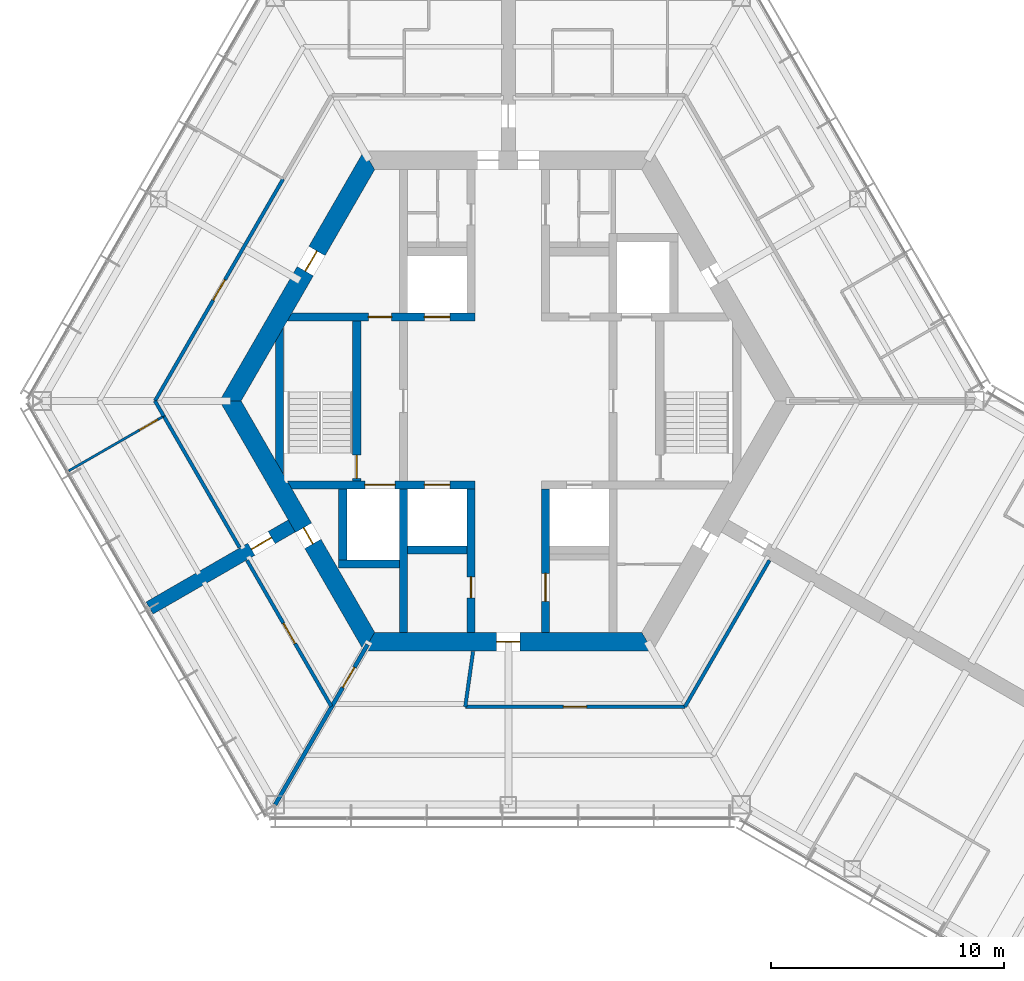
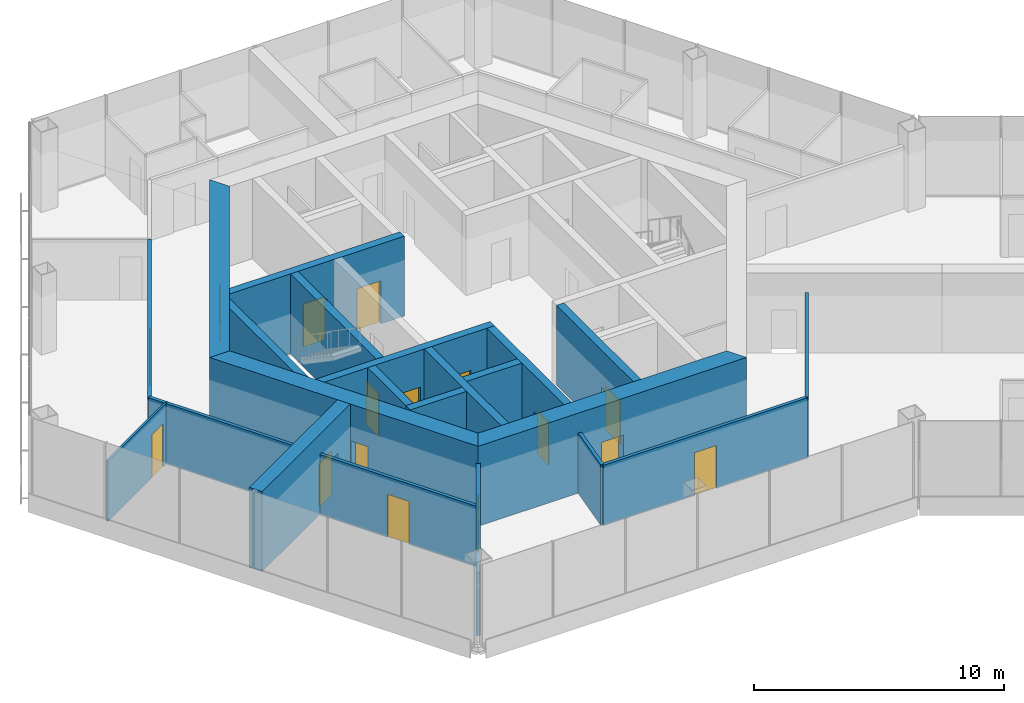
# One storey, part 10 of 15: 23 walls, 16 doors, 16 openings.
"""IFC4 building model written with IfcOpenShell, lengths in metres."""

from ifc_helpers import new_model, si_unit, direction, frame, frame_2d, origin, place, context, subcontext, project, spatial, polyline, rectangle, outline, extrude, material, layer, layer_set, type_object, element, fill, save


model = new_model("IFC4")

# Units and contexts
model_context = context("Model", 3, precision=1e-05, world=origin(), true_north=direction((0.0, 1.0)))
body_context = subcontext(model_context, "Body", "Model", "MODEL_VIEW")
ifc_project = project(units=[si_unit("LENGTHUNIT", "METRE"), si_unit("AREAUNIT", "SQUARE_METRE"), si_unit("VOLUMEUNIT", "CUBIC_METRE"), si_unit("PLANEANGLEUNIT", "RADIAN"), si_unit("MASSUNIT", "GRAM", prefix="KILO")], contexts=[model_context])

# Site, building, storey
site_placement = place(None, origin())
site = spatial("IfcSite", under=ifc_project, at=site_placement, CompositionType="ELEMENT")
building_placement = place(site_placement, origin())
building = spatial("IfcBuilding", under=site, at=building_placement, Name="Kasaneha Research Tower", CompositionType="ELEMENT")
storey_placement = place(building_placement, frame((0.0, 0.0, 220.60009765625)))
storey = spatial("IfcBuildingStorey", under=building, at=storey_placement, Name="L55", CompositionType="ELEMENT", Elevation=220.60009765625)

# Wall, openings, doors
ifc_material_1 = material(Name="Concrete Fc60", Category="concrete")
ifc_layer_1 = layer(ifc_material_1, 0.35009765625)
ifc_layer_set_1 = layer_set([ifc_layer_1], Name="Core internal wall 350 Fc60")
wall_type_1 = type_object("IfcWallType", Name="Core internal wall 350 Fc60", PredefinedType="SHEAR", material=ifc_layer_set_1)
wall_1_placement = place(storey_placement, frame((-9.3818359375, 3.60009765625, 0.0), z_axis=(0.0, 0.0, 1.0), x_axis=(1.0, 0.0, 0.0)))
wall_1 = element("IfcWall", 1, at=wall_1_placement, inside=storey, type_object=wall_type_1, Name="Core wall W1W L55", PredefinedType="SHEAR", context=body_context, shape_type="SweptSolid", body=[
    extrude(outline(polyline([(-0.10107421875, -0.175048828125), (3.3818359375, -0.175048828125), (4.3818359375, -0.175048828125), (5.781982421875, -0.175048828125), (6.882080078125, -0.175048828125), (7.956787109375, -0.175048828125), (7.956787109375, 0.175048828125), (6.882080078125, 0.175048828125), (5.781982421875, 0.175048828125), (4.3818359375, 0.175048828125), (3.3818359375, 0.175048828125), (0.10107421875, 0.175048828125), (-0.10107421875, -0.175048828125)])), origin(), (0.0, 0.0, 1.0), 3.89990234375),
])
opening_1_placement = place(wall_1_placement, frame((3.3818359375, 0.0, 0.0)))
opening_1 = element("IfcOpeningElement", 2, at=opening_1_placement, cuts=wall_1, Name="Opening L55-D12", PredefinedType="OPENING", context=body_context, shape_type="SweptSolid", body=[
    extrude(rectangle(XDim=1.0, YDim=2.10009765625, at=frame_2d((0.5, 1.050048828125))), frame((0.0, 0.18505859375, 0.0), z_axis=(0.0, -1.0, 0.0), x_axis=(1.0, 0.0, 0.0)), (0.0, 0.0, 1.0), 0.3701171875),
])
opening_2_placement = place(wall_1_placement, frame((5.781982421875, 0.0, 0.0)))
opening_2 = element("IfcOpeningElement", 3, at=opening_2_placement, cuts=wall_1, Name="Opening LD-LH2-L55", PredefinedType="OPENING", context=body_context, shape_type="SweptSolid", body=[
    extrude(rectangle(XDim=1.10009765625, YDim=2.10009765625, at=frame_2d((0.550048828125, 1.050048828125))), frame((0.0, 0.18505859375, 0.0), z_axis=(0.0, -1.0, 0.0), x_axis=(1.0, 0.0, 0.0)), (0.0, 0.0, 1.0), 0.3701171875),
])
ifc_material_2 = material(Name="Steel", Category="steel")
door_type_1 = type_object("IfcDoorType", Name="Lift landing door 1100x2100", OperationType="DOUBLE_DOOR_SLIDING", PredefinedType="DOOR", material=ifc_material_2)
door_1_placement = place(opening_2_placement, origin())
door_1 = element("IfcDoor", 4, at=door_1_placement, inside=storey, type_object=door_type_1, Name="Landing door LH2 LD-LH2-L55", OperationType="DOUBLE_DOOR_SLIDING", OverallHeight=2.10009765625, OverallWidth=1.10009765625, PredefinedType="DOOR", context=body_context, shape_type="SweptSolid", body=[
    extrude(rectangle(XDim=1.10009765625, YDim=2.10009765625, at=frame_2d((0.550048828125, 1.050048828125))), frame((0.0, 0.02490234375, 0.0), z_axis=(0.0, -1.0, 0.0), x_axis=(1.0, 0.0, 0.0)), (0.0, 0.0, 1.0), 0.050048828125),
])
fill(opening_2, door_1)
ifc_material_3 = material(Name="Steel", Category="steel")
door_type_2 = type_object("IfcDoorType", Name="Specified fire door FD60 1000x2100", OperationType="NOTDEFINED", PredefinedType="DOOR", material=ifc_material_3)
door_2_placement = place(opening_1_placement, origin())
door_2 = element("IfcDoor", 5, at=door_2_placement, inside=storey, type_object=door_type_2, Name="Vestibule to lobby door L55-D12", OperationType="SINGLE_SWING_LEFT", OverallHeight=2.10009765625, OverallWidth=1.0, PredefinedType="DOOR", context=body_context, shape_type="SweptSolid", body=[
    extrude(rectangle(XDim=1.0, YDim=2.10009765625, at=frame_2d((0.5, 1.050048828125))), frame((0.0, 0.02490234375, 0.0), z_axis=(0.0, -1.0, 0.0), x_axis=(1.0, 0.0, 0.0)), (0.0, 0.0, 1.0), 0.050048828125),
])
fill(opening_1, door_2)

wall_2_placement = place(storey_placement, frame((-9.3818359375, -3.60009765625, 0.0), z_axis=(0.0, 0.0, 1.0), x_axis=(1.0, 0.0, 0.0)))
wall_2 = element("IfcWall", 6, at=wall_2_placement, inside=storey, type_object=wall_type_1, Name="Core wall W2W L55", PredefinedType="SHEAR", context=body_context, shape_type="SweptSolid", body=[
    extrude(outline(polyline([(0.10107421875, -0.175048828125), (3.23193359375, -0.175048828125), (4.531982421875, -0.175048828125), (5.781982421875, -0.175048828125), (6.882080078125, -0.175048828125), (7.956787109375, -0.175048828125), (7.956787109375, 0.175048828125), (6.882080078125, 0.175048828125), (5.781982421875, 0.175048828125), (4.531982421875, 0.175048828125), (3.23193359375, 0.175048828125), (-0.10107421875, 0.175048828125), (0.10107421875, -0.175048828125)])), origin(), (0.0, 0.0, 1.0), 3.89990234375),
])
opening_3_placement = place(wall_2_placement, frame((5.781982421875, 0.0, 0.0)))
opening_3 = element("IfcOpeningElement", 7, at=opening_3_placement, cuts=wall_2, Name="Opening LD-LH1-L55", PredefinedType="OPENING", context=body_context, shape_type="SweptSolid", body=[
    extrude(rectangle(XDim=1.10009765625, YDim=2.10009765625, at=frame_2d((0.550048828125, 1.050048828125))), frame((0.0, 0.18505859375, 0.0), z_axis=(0.0, -1.0, 0.0), x_axis=(1.0, 0.0, 0.0)), (0.0, 0.0, 1.0), 0.3701171875),
])
opening_4_placement = place(wall_2_placement, frame((3.23193359375, 0.0, 0.0)))
opening_4 = element("IfcOpeningElement", 8, at=opening_4_placement, cuts=wall_2, Name="Opening LD-FL2-L55", PredefinedType="OPENING", context=body_context, shape_type="SweptSolid", body=[
    extrude(rectangle(XDim=1.300048828125, YDim=2.10009765625, at=frame_2d((0.64990234375, 1.050048828125))), frame((0.0, 0.18505859375, 0.0), z_axis=(0.0, -1.0, 0.0), x_axis=(1.0, 0.0, 0.0)), (0.0, 0.0, 1.0), 0.3701171875),
])
door_3_placement = place(opening_3_placement, origin())
door_3 = element("IfcDoor", 9, at=door_3_placement, inside=storey, type_object=door_type_1, Name="Landing door LH1 LD-LH1-L55", OperationType="DOUBLE_DOOR_SLIDING", OverallHeight=2.10009765625, OverallWidth=1.10009765625, PredefinedType="DOOR", context=body_context, shape_type="SweptSolid", body=[
    extrude(rectangle(XDim=1.10009765625, YDim=2.10009765625, at=frame_2d((0.550048828125, 1.050048828125))), frame((0.0, 0.02490234375, 0.0), z_axis=(0.0, -1.0, 0.0), x_axis=(1.0, 0.0, 0.0)), (0.0, 0.0, 1.0), 0.050048828125),
])
fill(opening_3, door_3)
ifc_material_4 = material(Name="Steel", Category="steel")
door_type_3 = type_object("IfcDoorType", Name="Lift landing door 1300x2100", OperationType="DOUBLE_DOOR_SLIDING", PredefinedType="DOOR", material=ifc_material_4)
door_4_placement = place(opening_4_placement, origin())
door_4 = element("IfcDoor", 10, at=door_4_placement, inside=storey, type_object=door_type_3, Name="Landing door FL2 LD-FL2-L55", OperationType="DOUBLE_DOOR_SLIDING", OverallHeight=2.10009765625, OverallWidth=1.300048828125, PredefinedType="DOOR", context=body_context, shape_type="SweptSolid", body=[
    extrude(rectangle(XDim=1.300048828125, YDim=2.10009765625, at=frame_2d((0.64990234375, 1.050048828125))), frame((0.0, 0.02490234375, 0.0), z_axis=(0.0, -1.0, 0.0), x_axis=(1.0, 0.0, 0.0)), (0.0, 0.0, 1.0), 0.050048828125),
])
fill(opening_4, door_4)

# Wall, opening, door
wall_3_placement = place(storey_placement, frame((-1.60009765625, -3.77490234375, 0.0), z_axis=(0.0, 0.0, 1.0), x_axis=(0.0, -1.0, 0.0)))
wall_3 = element("IfcWall", 11, at=wall_3_placement, inside=storey, type_object=wall_type_1, Name="Core wall CSW L55", PredefinedType="SHEAR", context=body_context, shape_type="SweptSolid", body=[
    extrude(rectangle(XDim=6.150146484375, YDim=0.35009765625, at=frame_2d((3.0751953125, 0.0))), origin(), (0.0, 0.0, 1.0), 3.89990234375),
])
opening_5_placement = place(wall_3_placement, frame((3.77490234375, 0.0, 0.0)))
opening_5 = element("IfcOpeningElement", 12, at=opening_5_placement, cuts=wall_3, Name="Opening L55-D16", PredefinedType="OPENING", context=body_context, shape_type="SweptSolid", body=[
    extrude(rectangle(XDim=0.89990234375, YDim=2.10009765625, at=frame_2d((0.449951171875, 1.050048828125))), frame((0.0, 0.18505859375, 0.0), z_axis=(0.0, -1.0, 0.0), x_axis=(1.0, 0.0, 0.0)), (0.0, 0.0, 1.0), 0.3701171875),
])
ifc_material_5 = material(Name="Steel", Category="steel")
door_type_4 = type_object("IfcDoorType", Name="Riser access door FD60 900x2100", OperationType="NOTDEFINED", PredefinedType="DOOR", material=ifc_material_5)
door_5_placement = place(opening_5_placement, origin())
door_5 = element("IfcDoor", 13, at=door_5_placement, inside=storey, type_object=door_type_4, Name="Electrical riser door L55-D16", OperationType="SINGLE_SWING_LEFT", OverallHeight=2.10009765625, OverallWidth=0.89990234375, PredefinedType="DOOR", context=body_context, shape_type="SweptSolid", body=[
    extrude(rectangle(XDim=0.89990234375, YDim=2.10009765625, at=frame_2d((0.449951171875, 1.050048828125))), frame((0.0, 0.02490234375, 0.0), z_axis=(0.0, -1.0, 0.0), x_axis=(1.0, 0.0, 0.0)), (0.0, 0.0, 1.0), 0.050048828125),
])
fill(opening_5, door_5)

wall_4_placement = place(storey_placement, frame((1.60009765625, -3.77490234375, 0.0), z_axis=(0.0, 0.0, 1.0), x_axis=(0.0, -1.0, 0.0)))
wall_4 = element("IfcWall", 14, at=wall_4_placement, inside=storey, type_object=wall_type_1, Name="Core wall CSE L55", PredefinedType="SHEAR", context=body_context, shape_type="SweptSolid", body=[
    extrude(rectangle(XDim=6.150146484375, YDim=0.35009765625, at=frame_2d((3.0751953125, 0.0))), origin(), (0.0, 0.0, 1.0), 3.89990234375),
])
opening_6_placement = place(wall_4_placement, frame((3.625, 0.0, 0.0)))
opening_6 = element("IfcOpeningElement", 15, at=opening_6_placement, cuts=wall_4, Name="Opening L55-D15", PredefinedType="OPENING", context=body_context, shape_type="SweptSolid", body=[
    extrude(rectangle(XDim=1.199951171875, YDim=2.10009765625, at=frame_2d((0.60009765625, 1.050048828125))), frame((0.0, 0.18505859375, 0.0), z_axis=(0.0, -1.0, 0.0), x_axis=(1.0, 0.0, 0.0)), (0.0, 0.0, 1.0), 0.3701171875),
])
ifc_material_6 = material(Name="Steel", Category="steel")
door_type_5 = type_object("IfcDoorType", Name="Accessible toilet sliding door FD20 1200x2100", OperationType="SLIDING_TO_LEFT", PredefinedType="DOOR", material=ifc_material_6)
door_6_placement = place(opening_6_placement, origin())
door_6 = element("IfcDoor", 16, at=door_6_placement, inside=storey, type_object=door_type_5, Name="Accessible WC door L55-D15", OperationType="SLIDING_TO_LEFT", OverallHeight=2.10009765625, OverallWidth=1.199951171875, PredefinedType="DOOR", context=body_context, shape_type="SweptSolid", body=[
    extrude(rectangle(XDim=1.199951171875, YDim=2.10009765625, at=frame_2d((0.60009765625, 1.050048828125))), frame((0.0, 0.02490234375, 0.0), z_axis=(0.0, -1.0, 0.0), x_axis=(1.0, 0.0, 0.0)), (0.0, 0.0, 1.0), 0.050048828125),
])
fill(opening_6, door_6)

wall_5_placement = place(storey_placement, frame((-6.5, -3.425048828125, 0.0), z_axis=(0.0, 0.0, 1.0), x_axis=(0.0, 1.0, 0.0)))
wall_5 = element("IfcWall", 17, at=wall_5_placement, inside=storey, type_object=wall_type_1, Name="Core wall ANW L55", PredefinedType="SHEAR", context=body_context, shape_type="SweptSolid", body=[
    extrude(rectangle(XDim=6.85009765625, YDim=0.35009765625, at=frame_2d((3.425048828125, 0.0))), origin(), (0.0, 0.0, 1.0), 3.89990234375),
])
opening_7_placement = place(wall_5_placement, frame((0.10009765625, 0.0, 0.0)))
opening_7 = element("IfcOpeningElement", 18, at=opening_7_placement, cuts=wall_5, Name="Opening L55-D11", PredefinedType="OPENING", context=body_context, shape_type="SweptSolid", body=[
    extrude(rectangle(XDim=1.0, YDim=2.10009765625, at=frame_2d((0.5, 1.050048828125))), frame((0.0, 0.18505859375, 0.0), z_axis=(0.0, -1.0, 0.0), x_axis=(1.0, 0.0, 0.0)), (0.0, 0.0, 1.0), 0.3701171875),
])
door_7_placement = place(opening_7_placement, origin())
door_7 = element("IfcDoor", 19, at=door_7_placement, inside=storey, type_object=door_type_2, Name="Stair 2 door L55-D11", OperationType="SINGLE_SWING_LEFT", OverallHeight=2.10009765625, OverallWidth=1.0, PredefinedType="DOOR", context=body_context, shape_type="SweptSolid", body=[
    extrude(rectangle(XDim=1.0, YDim=2.10009765625, at=frame_2d((0.5, 1.050048828125))), frame((0.0, 0.02490234375, 0.0), z_axis=(0.0, -1.0, 0.0), x_axis=(1.0, 0.0, 0.0)), (0.0, 0.0, 1.0), 0.050048828125),
])
fill(opening_7, door_7)

# Walls
wall_6_placement = place(storey_placement, frame((-4.5, -3.77490234375, 0.0), z_axis=(0.0, 0.0, 1.0), x_axis=(0.0, -1.0, 0.0)))
element("IfcWall", 20, at=wall_6_placement, inside=storey, type_object=wall_type_1, Name="Core wall SSW L55", PredefinedType="SHEAR", context=body_context, shape_type="SweptSolid", body=[
    extrude(rectangle(XDim=6.150146484375, YDim=0.35009765625, at=frame_2d((3.0751953125, 0.0))), origin(), (0.0, 0.0, 1.0), 3.89990234375),
])
wall_7_placement = place(storey_placement, frame((-4.324951171875, -6.39990234375, 0.0), z_axis=(0.0, 0.0, 1.0), x_axis=(1.0, 0.0, 0.0)))
element("IfcWall", 21, at=wall_7_placement, inside=storey, type_object=wall_type_1, Name="Core wall S1S L55", PredefinedType="SHEAR", context=body_context, shape_type="SweptSolid", body=[
    extrude(rectangle(XDim=2.550048828125, YDim=0.35009765625, at=frame_2d((1.27490234375, 0.0))), origin(), (0.0, 0.0, 1.0), 3.89990234375),
])
wall_8_placement = place(storey_placement, frame((-7.27490234375, -7.0, 0.0), z_axis=(0.0, 0.0, 1.0), x_axis=(1.0, 0.0, 0.0)))
element("IfcWall", 22, at=wall_8_placement, inside=storey, type_object=wall_type_1, Name="Core wall F2S L55", PredefinedType="SHEAR", context=body_context, shape_type="SweptSolid", body=[
    extrude(rectangle(XDim=2.599853515625, YDim=0.35009765625, at=frame_2d((1.2998046875, 0.0))), origin(), (0.0, 0.0, 1.0), 3.89990234375),
])
wall_9_placement = place(storey_placement, frame((-7.10009765625, -3.77490234375, 0.0), z_axis=(0.0, 0.0, 1.0), x_axis=(0.0, -1.0, 0.0)))
element("IfcWall", 23, at=wall_9_placement, inside=storey, type_object=wall_type_1, Name="Core wall F2W L55", PredefinedType="SHEAR", context=body_context, shape_type="SweptSolid", body=[
    extrude(rectangle(XDim=3.050048828125, YDim=0.35009765625, at=frame_2d((1.52490234375, 0.0))), origin(), (0.0, 0.0, 1.0), 3.89990234375),
])
wall_10_placement = place(storey_placement, frame((-9.807861328125, -2.8623046875, 0.0), z_axis=(0.0, 0.0, 1.0), x_axis=(0.0, 1.0, 0.0)))
element("IfcWall", 24, at=wall_10_placement, inside=storey, type_object=wall_type_1, Name="Core wall STW L55", PredefinedType="SHEAR", context=body_context, shape_type="SweptSolid", body=[
    extrude(outline(polyline([(-0.30322265625, -0.175048828125), (6.02783203125, -0.175048828125), (5.42138671875, 0.175048828125), (0.30322265625, 0.175048828125), (-0.30322265625, -0.175048828125)])), origin(), (0.0, 0.0, 1.0), 3.89990234375),
])

# Wall, opening, door
ifc_material_7 = material(Name="Concrete Fc60", Category="concrete")
ifc_layer_2 = layer(ifc_material_7, 0.800048828125)
ifc_layer_set_2 = layer_set([ifc_layer_2], Name="Core wall 800 Fc60")
wall_type_2 = type_object("IfcWallType", Name="Core wall 800 Fc60", PredefinedType="SHEAR", material=ifc_layer_set_2)
wall_11_placement = place(storey_placement, frame((-5.961181640625, 10.324951171875, 0.0), z_axis=(0.0, 0.0, 1.0), x_axis=(-0.500004296715, -0.866022923061, 0.0)))
wall_11 = element("IfcWall", 25, at=wall_11_placement, inside=storey, type_object=wall_type_2, Name="Core wall 150 L55", PredefinedType="SHEAR", context=body_context, shape_type="SweptSolid", body=[
    extrude(outline(polyline([(-0.23095703125, -0.39990234375), (4.494140625, -0.39990234375), (5.494140625, -0.39990234375), (12.1533203125, -0.39990234375), (11.69140625, 0.39990234375), (5.494140625, 0.39990234375), (4.494140625, 0.39990234375), (0.23095703125, 0.39990234375), (-0.23095703125, -0.39990234375)])), origin(), (0.0, 0.0, 1.0), 3.89990234375),
])
opening_8_placement = place(wall_11_placement, frame((4.494140625, 0.0, 0.0)))
opening_8 = element("IfcOpeningElement", 26, at=opening_8_placement, cuts=wall_11, Name="Opening L55-D07", PredefinedType="OPENING", context=body_context, shape_type="SweptSolid", body=[
    extrude(rectangle(XDim=1.0, YDim=2.10009765625, at=frame_2d((0.5, 1.050048828125))), frame((0.0, 0.41015625, 0.0), z_axis=(0.0, -1.0, 0.0), x_axis=(1.0, 0.0, 0.0)), (0.0, 0.0, 1.0), 0.820068359375),
])
ifc_material_8 = material(Name="Steel", Category="steel")
door_type_6 = type_object("IfcDoorType", Name="Fire door FD20 1000x2100", OperationType="NOTDEFINED", PredefinedType="DOOR", material=ifc_material_8)
door_8_placement = place(opening_8_placement, origin())
door_8 = element("IfcDoor", 27, at=door_8_placement, inside=storey, type_object=door_type_6, Name="Vestibule door L55-D07", OperationType="SINGLE_SWING_LEFT", OverallHeight=2.10009765625, OverallWidth=1.0, PredefinedType="DOOR", context=body_context, shape_type="SweptSolid", body=[
    extrude(rectangle(XDim=1.0, YDim=2.10009765625, at=frame_2d((0.5, 1.050048828125))), frame((0.0, 0.02490234375, 0.0), z_axis=(0.0, -1.0, 0.0), x_axis=(1.0, 0.0, 0.0)), (0.0, 0.0, 1.0), 0.050048828125),
])
fill(opening_8, door_8)

wall_12_placement = place(storey_placement, frame((-11.92236328125, 0.0, 0.0), z_axis=(0.0, 0.0, 1.0), x_axis=(0.500004296715, -0.866022923061, 0.0)))
wall_12 = element("IfcWall", 28, at=wall_12_placement, inside=storey, type_object=wall_type_2, Name="Core wall 210 L55", PredefinedType="SHEAR", context=body_context, shape_type="SweptSolid", body=[
    extrude(outline(polyline([(-0.23095703125, -0.39990234375), (6.28125, -0.39990234375), (7.081298828125, -0.39990234375), (12.1533203125, -0.39990234375), (11.69140625, 0.39990234375), (7.081298828125, 0.39990234375), (6.28125, 0.39990234375), (0.23095703125, 0.39990234375), (-0.23095703125, -0.39990234375)])), origin(), (0.0, 0.0, 1.0), 3.89990234375),
])
opening_9_placement = place(wall_12_placement, frame((6.28125, 0.0, 0.0)))
opening_9 = element("IfcOpeningElement", 29, at=opening_9_placement, cuts=wall_12, Name="Opening L55-D06", PredefinedType="OPENING", context=body_context, shape_type="SweptSolid", body=[
    extrude(rectangle(XDim=0.800048828125, YDim=2.10009765625, at=frame_2d((0.39990234375, 1.050048828125))), frame((0.0, 0.41015625, 0.0), z_axis=(0.0, -1.0, 0.0), x_axis=(1.0, 0.0, 0.0)), (0.0, 0.0, 1.0), 0.820068359375),
])
ifc_material_9 = material(Name="Steel", Category="steel")
door_type_7 = type_object("IfcDoorType", Name="Riser access door FD60 800x2100", OperationType="NOTDEFINED", PredefinedType="DOOR", material=ifc_material_9)
door_9_placement = place(opening_9_placement, origin())
door_9 = element("IfcDoor", 30, at=door_9_placement, inside=storey, type_object=door_type_7, Name="Duct riser door L55-D06", OperationType="SINGLE_SWING_RIGHT", OverallHeight=2.10009765625, OverallWidth=0.800048828125, PredefinedType="DOOR", context=body_context, shape_type="SweptSolid", body=[
    extrude(rectangle(XDim=0.800048828125, YDim=2.10009765625, at=frame_2d((0.39990234375, 1.050048828125))), frame((0.0, 0.02490234375, 0.0), z_axis=(0.0, -1.0, 0.0), x_axis=(1.0, 0.0, 0.0)), (0.0, 0.0, 1.0), 0.050048828125),
])
fill(opening_9, door_9)

wall_13_placement = place(storey_placement, frame((-5.961181640625, -10.324951171875, 0.0), z_axis=(0.0, 0.0, 1.0), x_axis=(1.0, 0.0, 0.0)))
wall_13 = element("IfcWall", 31, at=wall_13_placement, inside=storey, type_object=wall_type_2, Name="Core wall 270 L55", PredefinedType="SHEAR", context=body_context, shape_type="SweptSolid", body=[
    extrude(outline(polyline([(-0.23095703125, -0.39990234375), (5.461181640625, -0.39990234375), (6.461181640625, -0.39990234375), (12.1533203125, -0.39990234375), (11.69140625, 0.39990234375), (6.461181640625, 0.39990234375), (5.461181640625, 0.39990234375), (0.23095703125, 0.39990234375), (-0.23095703125, -0.39990234375)])), origin(), (0.0, 0.0, 1.0), 3.89990234375),
])
opening_10_placement = place(wall_13_placement, frame((5.461181640625, 0.0, 0.0)))
opening_10 = element("IfcOpeningElement", 32, at=opening_10_placement, cuts=wall_13, Name="Opening L55-D03", PredefinedType="OPENING", context=body_context, shape_type="SweptSolid", body=[
    extrude(rectangle(XDim=1.0, YDim=2.10009765625, at=frame_2d((0.5, 1.050048828125))), frame((0.0, 0.41015625, 0.0), z_axis=(0.0, -1.0, 0.0), x_axis=(1.0, 0.0, 0.0)), (0.0, 0.0, 1.0), 0.820068359375),
])
door_10_placement = place(opening_10_placement, origin())
door_10 = element("IfcDoor", 33, at=door_10_placement, inside=storey, type_object=door_type_6, Name="Core door south L55-D03", OperationType="SINGLE_SWING_LEFT", OverallHeight=2.10009765625, OverallWidth=1.0, PredefinedType="DOOR", context=body_context, shape_type="SweptSolid", body=[
    extrude(rectangle(XDim=1.0, YDim=2.10009765625, at=frame_2d((0.5, 1.050048828125))), frame((0.0, 0.02490234375, 0.0), z_axis=(0.0, -1.0, 0.0), x_axis=(1.0, 0.0, 0.0)), (0.0, 0.0, 1.0), 0.050048828125),
])
fill(opening_10, door_10)

ifc_material_10 = material(Name="Gypsum board on steel studs, one layer each side", Category="steel")
ifc_layer_3 = layer(ifc_material_10, 0.10009765625)
ifc_layer_set_3 = layer_set([ifc_layer_3], Name="Office partition 100")
wall_type_3 = type_object("IfcWallType", Name="Office partition 100", PredefinedType="PARTITIONING", material=ifc_layer_set_3)
wall_14_placement = place(storey_placement, frame((-18.857177734375, -2.99951171875, 0.0), z_axis=(0.0, 0.0, 1.0), x_axis=(0.866504138439, 0.499169888984, 0.0)))
wall_14 = element("IfcWall", 34, at=wall_14_placement, inside=storey, type_object=wall_type_3, Name="Office partition FBN06 L55", PredefinedType="PARTITIONING", context=body_context, shape_type="SweptSolid", body=[
    extrude(rectangle(XDim=4.70556640625, YDim=0.10009765625, at=frame_2d((2.352783203125, 0.0))), origin(), (0.0, 0.0, 1.0), 2.949951171875),
])
opening_11_placement = place(wall_14_placement, frame((3.505615234375, 0.0, 0.0)))
opening_11 = element("IfcOpeningElement", 35, at=opening_11_placement, cuts=wall_14, Name="Opening L55-D39", PredefinedType="OPENING", context=body_context, shape_type="SweptSolid", body=[
    extrude(rectangle(XDim=0.89990234375, YDim=2.10009765625, at=frame_2d((0.449951171875, 1.050048828125))), frame((0.0, 0.06005859375, 0.0), z_axis=(0.0, -1.0, 0.0), x_axis=(1.0, 0.0, 0.0)), (0.0, 0.0, 1.0), 0.1201171875),
])
ifc_material_11 = material(Name="Timber veneer", Category="wood")
door_type_8 = type_object("IfcDoorType", Name="Office door 900x2100", OperationType="SINGLE_SWING_LEFT", PredefinedType="DOOR", material=ifc_material_11)
door_11_placement = place(opening_11_placement, origin())
door_11 = element("IfcDoor", 36, at=door_11_placement, inside=storey, type_object=door_type_8, Name="Reception room door L55-D39", OperationType="SINGLE_SWING_RIGHT", OverallHeight=2.10009765625, OverallWidth=0.89990234375, PredefinedType="DOOR", context=body_context, shape_type="SweptSolid", body=[
    extrude(rectangle(XDim=0.89990234375, YDim=2.10009765625, at=frame_2d((0.449951171875, 1.050048828125))), frame((0.0, 0.02490234375, 0.0), z_axis=(0.0, -1.0, 0.0), x_axis=(1.0, 0.0, 0.0)), (0.0, 0.0, 1.0), 0.050048828125),
])
fill(opening_11, door_11)

ifc_material_12 = material(Name="Concrete Fc60", Category="concrete")
ifc_layer_4 = layer(ifc_material_12, 0.60009765625)
ifc_layer_set_4 = layer_set([ifc_layer_4], Name="Spine wall 600 Fc60")
wall_type_4 = type_object("IfcWallType", Name="Spine wall 600 Fc60", PredefinedType="SHEAR", material=ifc_layer_set_4)
wall_15_placement = place(storey_placement, frame((-9.2880859375, -5.362548828125, 0.0), z_axis=(0.0, 0.0, 1.0), x_axis=(-0.866027473358, -0.499996415376, 0.0)))
wall_15 = element("IfcWall", 37, at=wall_15_placement, inside=storey, type_object=wall_type_4, Name="Spine wall B L55", PredefinedType="SHEAR", context=body_context, shape_type="SweptSolid", body=[
    extrude(rectangle(XDim=7.04541015625, YDim=0.60009765625, at=frame_2d((3.522705078125, 0.0))), origin(), (0.0, 0.0, 1.0), 3.89990234375),
])
opening_12_placement = place(wall_15_placement, frame((1.0, 0.0, 0.0)))
opening_12 = element("IfcOpeningElement", 38, at=opening_12_placement, cuts=wall_15, Name="Opening L55-D19", PredefinedType="OPENING", context=body_context, shape_type="SweptSolid", body=[
    extrude(rectangle(XDim=1.0, YDim=2.10009765625, at=frame_2d((0.5, 1.050048828125))), frame((0.0, 0.31005859375, 0.0), z_axis=(0.0, -1.0, 0.0), x_axis=(1.0, 0.0, 0.0)), (0.0, 0.0, 1.0), 0.6201171875),
])
door_12_placement = place(opening_12_placement, origin())
door_12 = element("IfcDoor", 39, at=door_12_placement, inside=storey, type_object=door_type_2, Name="Spine doorway B L55-D19", OperationType="SINGLE_SWING_LEFT", OverallHeight=2.10009765625, OverallWidth=1.0, PredefinedType="DOOR", context=body_context, shape_type="SweptSolid", body=[
    extrude(rectangle(XDim=1.0, YDim=2.10009765625, at=frame_2d((0.5, 1.050048828125))), frame((0.0, 0.02490234375, 0.0), z_axis=(0.0, -1.0, 0.0), x_axis=(1.0, 0.0, 0.0)), (0.0, 0.0, 1.0), 0.050048828125),
])
fill(opening_12, door_12)

# Wall
ifc_material_13 = material(Name="Gypsum board on steel studs, two layers each side", Category="steel")
ifc_layer_5 = layer(ifc_material_13, 0.14990234375)
ifc_layer_set_5 = layer_set([ifc_layer_5], Name="Suite partition 150")
wall_type_5 = type_object("IfcWallType", Name="Suite partition 150", PredefinedType="PARTITIONING", material=ifc_layer_set_5)
wall_16_placement = place(storey_placement, frame((-11.526611328125, -6.285400390625, 0.0), z_axis=(0.0, 0.0, 1.0), x_axis=(-0.500003537243, 0.866023361547, 0.0)))
element("IfcWall", 40, at=wall_16_placement, inside=storey, type_object=wall_type_5, Name="Suite partition FBN02 L55", PredefinedType="PARTITIONING", context=body_context, shape_type="SweptSolid", body=[
    extrude(rectangle(XDim=6.51611328125, YDim=0.14990234375, at=frame_2d((3.258056640625, 0.0))), origin(), (0.0, 0.0, 1.0), 2.949951171875),
])

# Wall, opening, door
wall_17_placement = place(storey_placement, frame((-15.155517578125, 0.0, 0.0), z_axis=(0.0, 0.0, 1.0), x_axis=(0.500006847747, 0.8660214502, 0.0)))
wall_17 = element("IfcWall", 41, at=wall_17_placement, inside=storey, type_object=wall_type_5, Name="Suite partition FBN03 L55", PredefinedType="PARTITIONING", context=body_context, shape_type="SweptSolid", body=[
    extrude(rectangle(XDim=10.997802734375, YDim=0.14990234375, at=frame_2d((5.4990234375, 0.0))), origin(), (0.0, 0.0, 1.0), 2.949951171875),
])
opening_13_placement = place(wall_17_placement, frame((4.998779296875, 0.0, 0.0)))
opening_13 = element("IfcOpeningElement", 42, at=opening_13_placement, cuts=wall_17, Name="Opening L55-D37", PredefinedType="OPENING", context=body_context, shape_type="SweptSolid", body=[
    extrude(rectangle(XDim=1.0, YDim=2.10009765625, at=frame_2d((0.5, 1.050048828125))), frame((0.0, 0.0849609375, 0.0), z_axis=(0.0, -1.0, 0.0), x_axis=(1.0, 0.0, 0.0)), (0.0, 0.0, 1.0), 0.169921875),
])
ifc_material_14 = material(Name="Steel", Category="steel")
door_type_9 = type_object("IfcDoorType", Name="Suite entrance door FD60 1000x2100", OperationType="NOTDEFINED", PredefinedType="DOOR", material=ifc_material_14)
door_13_placement = place(opening_13_placement, origin())
door_13 = element("IfcDoor", 43, at=door_13_placement, inside=storey, type_object=door_type_9, Name="Suite entrance door L55-D37", OperationType="SINGLE_SWING_RIGHT", OverallHeight=2.10009765625, OverallWidth=1.0, PredefinedType="DOOR", context=body_context, shape_type="SweptSolid", body=[
    extrude(rectangle(XDim=1.0, YDim=2.10009765625, at=frame_2d((0.5, 1.050048828125))), frame((0.0, 0.02490234375, 0.0), z_axis=(0.0, -1.0, 0.0), x_axis=(1.0, 0.0, 0.0)), (0.0, 0.0, 1.0), 0.050048828125),
])
fill(opening_13, door_13)

# Wall
wall_18_placement = place(storey_placement, frame((-14.77978515625, -0.650634765625, 0.0), z_axis=(0.0, 0.0, 1.0), x_axis=(-0.500088105676, 0.865974529972, 0.0)))
element("IfcWall", 44, at=wall_18_placement, inside=storey, type_object=wall_type_5, Name="Suite partition FBN04 L55", PredefinedType="PARTITIONING", context=body_context, shape_type="SweptSolid", body=[
    extrude(rectangle(XDim=0.751220703125, YDim=0.14990234375, at=frame_2d((0.37548828125, 0.0))), origin(), (0.0, 0.0, 1.0), 2.949951171875),
])

# Wall, opening, door
wall_19_placement = place(storey_placement, frame((-7.58935546875, -13.10498046875, 0.0), z_axis=(0.0, 0.0, 1.0), x_axis=(-0.499986333712, 0.866033293876, 0.0)))
wall_19 = element("IfcWall", 45, at=wall_19_placement, inside=storey, type_object=wall_type_5, Name="Suite partition FBS01 L55", PredefinedType="PARTITIONING", context=body_context, shape_type="SweptSolid", body=[
    extrude(rectangle(XDim=7.234619140625, YDim=0.14990234375, at=frame_2d((3.6171875, 0.0))), origin(), (0.0, 0.0, 1.0), 2.949951171875),
])
opening_14_placement = place(wall_19_placement, frame((3.1171875, 0.0, 0.0)))
opening_14 = element("IfcOpeningElement", 46, at=opening_14_placement, cuts=wall_19, Name="Opening L55-D40", PredefinedType="OPENING", context=body_context, shape_type="SweptSolid", body=[
    extrude(rectangle(XDim=1.0, YDim=2.10009765625, at=frame_2d((0.5, 1.050048828125))), frame((0.0, 0.0849609375, 0.0), z_axis=(0.0, -1.0, 0.0), x_axis=(1.0, 0.0, 0.0)), (0.0, 0.0, 1.0), 0.169921875),
])
door_14_placement = place(opening_14_placement, origin())
door_14 = element("IfcDoor", 47, at=door_14_placement, inside=storey, type_object=door_type_9, Name="Suite entrance door L55-D40", OperationType="SINGLE_SWING_LEFT", OverallHeight=2.10009765625, OverallWidth=1.0, PredefinedType="DOOR", context=body_context, shape_type="SweptSolid", body=[
    extrude(rectangle(XDim=1.0, YDim=2.10009765625, at=frame_2d((0.5, 1.050048828125))), frame((0.0, 0.02490234375, 0.0), z_axis=(0.0, -1.0, 0.0), x_axis=(1.0, 0.0, 0.0)), (0.0, 0.0, 1.0), 0.050048828125),
])
fill(opening_14, door_14)

# Wall
wall_20_placement = place(storey_placement, frame((-1.844482421875, -13.125, 0.0), z_axis=(0.0, 0.0, 1.0), x_axis=(0.139173892267, 0.99026795753, 0.0)))
element("IfcWall", 48, at=wall_20_placement, inside=storey, type_object=wall_type_5, Name="Suite partition FCS01 L55", PredefinedType="PARTITIONING", context=body_context, shape_type="SweptSolid", body=[
    extrude(rectangle(XDim=2.4033203125, YDim=0.14990234375, at=frame_2d((1.20166015625, 0.0))), origin(), (0.0, 0.0, 1.0), 2.949951171875),
])

# Wall, opening, door
wall_21_placement = place(storey_placement, frame((7.57763671875, -13.125, 0.0), z_axis=(0.0, 0.0, 1.0), x_axis=(-1.0, 0.0, 0.0)))
wall_21 = element("IfcWall", 49, at=wall_21_placement, inside=storey, type_object=wall_type_5, Name="Suite partition FCS02 L55", PredefinedType="PARTITIONING", context=body_context, shape_type="SweptSolid", body=[
    extrude(rectangle(XDim=9.422119140625, YDim=0.14990234375, at=frame_2d((4.7109375, 0.0))), origin(), (0.0, 0.0, 1.0), 2.949951171875),
])
opening_15_placement = place(wall_21_placement, frame((4.211181640625, 0.0, 0.0)))
opening_15 = element("IfcOpeningElement", 50, at=opening_15_placement, cuts=wall_21, Name="Opening L55-D42", PredefinedType="OPENING", context=body_context, shape_type="SweptSolid", body=[
    extrude(rectangle(XDim=1.0, YDim=2.10009765625, at=frame_2d((0.5, 1.050048828125))), frame((0.0, 0.0849609375, 0.0), z_axis=(0.0, -1.0, 0.0), x_axis=(1.0, 0.0, 0.0)), (0.0, 0.0, 1.0), 0.169921875),
])
door_15_placement = place(opening_15_placement, origin())
door_15 = element("IfcDoor", 51, at=door_15_placement, inside=storey, type_object=door_type_9, Name="Suite entrance door L55-D42", OperationType="SINGLE_SWING_LEFT", OverallHeight=2.10009765625, OverallWidth=1.0, PredefinedType="DOOR", context=body_context, shape_type="SweptSolid", body=[
    extrude(rectangle(XDim=1.0, YDim=2.10009765625, at=frame_2d((0.5, 1.050048828125))), frame((0.0, 0.02490234375, 0.0), z_axis=(0.0, -1.0, 0.0), x_axis=(1.0, 0.0, 0.0)), (0.0, 0.0, 1.0), 0.050048828125),
])
fill(opening_15, door_15)

# Wall
wall_22_placement = place(storey_placement, frame((11.20654296875, -6.839599609375, 0.0), z_axis=(0.0, 0.0, 1.0), x_axis=(-0.500002959843, -0.866023694911, 0.0)))
element("IfcWall", 52, at=wall_22_placement, inside=storey, type_object=wall_type_5, Name="Suite partition FCS03 L55", PredefinedType="PARTITIONING", context=body_context, shape_type="SweptSolid", body=[
    extrude(rectangle(XDim=7.2578125, YDim=0.14990234375, at=frame_2d((3.62890625, 0.0))), origin(), (0.0, 0.0, 1.0), 2.949951171875),
])

# Wall, opening, door
ifc_material_15 = material(Name="Gypsum board on steel studs, two layers each side", Category="steel")
ifc_layer_6 = layer(ifc_material_15, 0.175048828125)
ifc_layer_set_6 = layer_set([ifc_layer_6], Name="Tenancy fire partition 175")
wall_type_6 = type_object("IfcWallType", Name="Tenancy fire partition 175", PredefinedType="PARTITIONING", material=ifc_layer_set_6)
wall_23_placement = place(storey_placement, frame((-6.034912109375, -10.45263671875, 0.0), z_axis=(0.0, 0.0, 1.0), x_axis=(-0.499989830942, -0.866031274813, 0.0)))
wall_23 = element("IfcWall", 53, at=wall_23_placement, inside=storey, type_object=wall_type_6, Name="Tenancy fire partition T240 L55", PredefinedType="PARTITIONING", context=body_context, shape_type="SweptSolid", body=[
    extrude(rectangle(XDim=7.930419921875, YDim=0.175048828125, at=frame_2d((3.96533203125, 0.0))), origin(), (0.0, 0.0, 1.0), 3.0498046875),
])
opening_16_placement = place(wall_23_placement, frame((1.1298828125, 0.0, 0.0)))
opening_16 = element("IfcOpeningElement", 54, at=opening_16_placement, cuts=wall_23, Name="Opening L55-D27", PredefinedType="OPENING", context=body_context, shape_type="SweptSolid", body=[
    extrude(rectangle(XDim=1.0, YDim=2.10009765625, at=frame_2d((0.5, 1.050048828125))), frame((0.0, 0.09765625, 0.0), z_axis=(0.0, -1.0, 0.0), x_axis=(1.0, 0.0, 0.0)), (0.0, 0.0, 1.0), 0.195068359375),
])
door_16_placement = place(opening_16_placement, origin())
door_16 = element("IfcDoor", 55, at=door_16_placement, inside=storey, type_object=door_type_9, Name="Connecting door L55-D27", OperationType="SINGLE_SWING_RIGHT", OverallHeight=2.10009765625, OverallWidth=1.0, PredefinedType="DOOR", context=body_context, shape_type="SweptSolid", body=[
    extrude(rectangle(XDim=1.0, YDim=2.10009765625, at=frame_2d((0.5, 1.050048828125))), frame((0.0, 0.02490234375, 0.0), z_axis=(0.0, -1.0, 0.0), x_axis=(1.0, 0.0, 0.0)), (0.0, 0.0, 1.0), 0.050048828125),
])
fill(opening_16, door_16)

save(model, "model.ifc")
